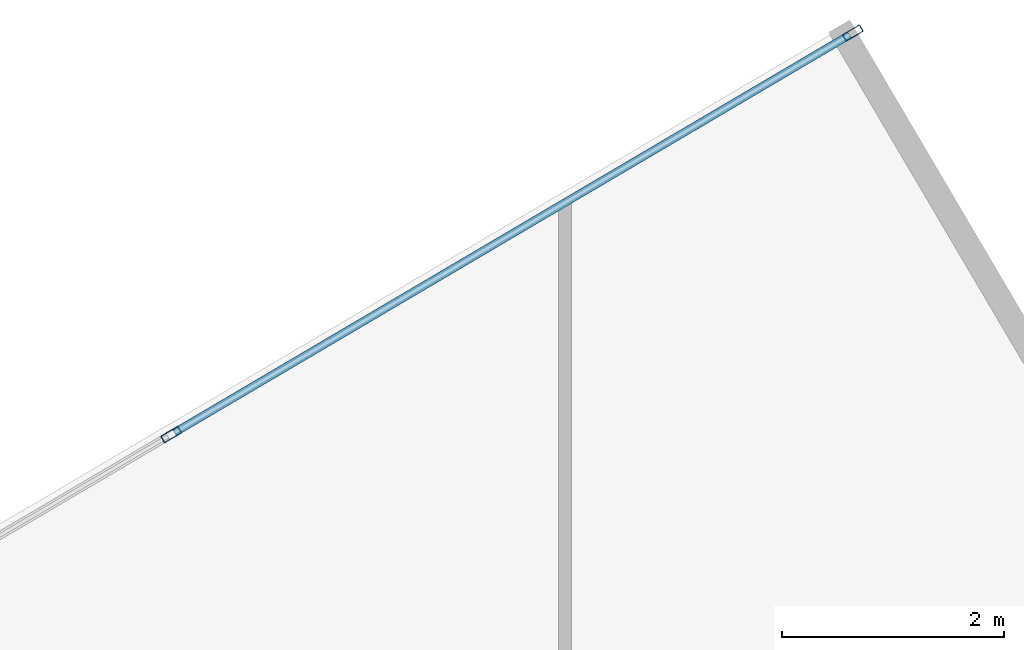
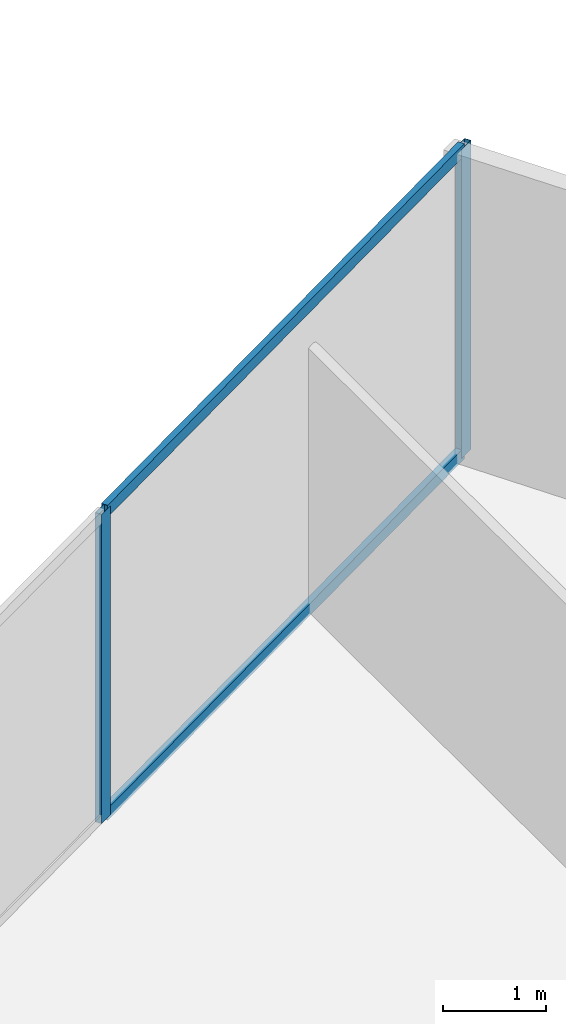
# One storey, part 14 of 20: 4 members, 1 element without a shape of its own.
"""IFC4 building model written with IfcOpenShell, lengths in metres."""

from ifc_helpers import new_model, si_unit, direction, frame, origin, origin_2d, place, context, subcontext, project, spatial, hollow_rectangle, extrude, source, transform, mapped, material, material_profile, profile_set, type_object, type_shapes, element, aggregate, save


model = new_model("IFC4")

# Units and contexts
model_context = context("Model", 3, precision=1e-05, world=origin(), true_north=direction((0.0, 1.0)))
body_context = subcontext(model_context, "Body", "Model", "MODEL_VIEW")
ifc_project = project(units=[si_unit("LENGTHUNIT", "METRE"), si_unit("AREAUNIT", "SQUARE_METRE"), si_unit("VOLUMEUNIT", "CUBIC_METRE"), si_unit("PLANEANGLEUNIT", "RADIAN"), si_unit("MASSUNIT", "GRAM", prefix="KILO")], contexts=[model_context])

# Site, building, storey
site_placement = place(None, origin())
site = spatial("IfcSite", under=ifc_project, at=site_placement, CompositionType="ELEMENT")
building_placement = place(site_placement, origin())
building = spatial("IfcBuilding", under=site, at=building_placement, Name="Krantzveldt Concourse Tower", CompositionType="ELEMENT")
storey_placement = place(building_placement, frame((0.0, 0.0, 295.050048828125)))
storey = spatial("IfcBuildingStorey", under=building, at=storey_placement, Name="L72", CompositionType="ELEMENT", Elevation=295.050048828125)

# Curtain wall, members
ifc_material = material(Name="Anodised aluminium 6063-T6", Category="aluminium")
curtain_wall_type = type_object("IfcCurtainWallType", Name="CW4", PredefinedType="USERDEFINED", material=ifc_material)
curtain_wall_placement = place(storey_placement, origin())
curtain_wall = element("IfcCurtainWall", 1, at=curtain_wall_placement, inside=storey, type_object=curtain_wall_type, Name="CW-L72-F01", ObjectType="UNITISED CURTAIN WALL", PredefinedType="USERDEFINED")
ifc_material_profile_1 = material_profile(ifc_material, hollow_rectangle(XDim=0.070068359375, YDim=0.179931640625, WallThickness=0.0048828125, at=origin_2d()), Name="Anodised aluminium 6063-T6", Category="aluminium")
ifc_profile_set_1 = profile_set([ifc_material_profile_1], Name="Anodised aluminium 6063-T6 - ALU-MULL 180x70x5")
member_type_1 = type_object("IfcMemberType", Name="CW-MUL-180", PredefinedType="MULLION", material=ifc_profile_set_1)
shared_shape_1 = source(origin(), body_context, "Body", "SweptSolid", [
    extrude(hollow_rectangle(XDim=0.070068359375, YDim=0.179931640625, WallThickness=0.0048828125, at=origin_2d()), origin(), (0.0, 0.0, 1.0), 3.669921875),
])
type_shapes(member_type_1, [shared_shape_1])
member_1_placement = place(storey_placement, frame((38.38916015625, 50.75048828125, 0.0), z_axis=(0.0, 0.0, 1.0), x_axis=(0.507538344223, -0.861629171479, 0.0)))
member_1 = element("IfcMember", 2, at=member_1_placement, type_object=member_type_1, Name="CW-Z56 mullion 1", PredefinedType="MULLION", context=body_context, shape_type="MappedRepresentation", body=[
    mapped(shared_shape_1, transform((0.0, 0.0, 0.0), x_axis=(1.0, 0.0, 0.0), y_axis=(0.0, 1.0, 0.0), z_axis=(0.0, 0.0, 1.0), scale=1.0)),
])
member_2_placement = place(storey_placement, frame((32.258544921875, 47.13916015625, 0.0), z_axis=(0.0, 0.0, 1.0), x_axis=(0.507538344223, -0.861629171479, 0.0)))
member_2 = element("IfcMember", 3, at=member_2_placement, type_object=member_type_1, Name="CW-Z56 mullion 2", PredefinedType="MULLION", context=body_context, shape_type="MappedRepresentation", body=[
    mapped(shared_shape_1, transform((0.0, 0.0, 0.0), x_axis=(1.0, 0.0, 0.0), y_axis=(0.0, 1.0, 0.0), z_axis=(0.0, 0.0, 1.0), scale=1.0)),
])
ifc_material_profile_2 = material_profile(ifc_material, hollow_rectangle(XDim=0.070068359375, YDim=0.139892578125, WallThickness=0.0048828125, at=origin_2d()), Name="Anodised aluminium 6063-T6", Category="aluminium")
ifc_profile_set_2 = profile_set([ifc_material_profile_2], Name="Anodised aluminium 6063-T6 - ALU-TRAN 140x70x5")
member_type_2 = type_object("IfcMemberType", Name="CW-TRN-150", PredefinedType="USERDEFINED", material=ifc_profile_set_2)
shared_shape_2 = source(origin(), body_context, "Body", "SweptSolid", [
    extrude(hollow_rectangle(XDim=0.070068359375, YDim=0.139892578125, WallThickness=0.0048828125, at=origin_2d()), origin(), (0.0, 0.0, 1.0), 7.044921875),
])
type_shapes(member_type_2, [shared_shape_2])
member_3_placement = place(storey_placement, frame((38.35888671875, 50.732666015625, 0.034912109375), z_axis=(-0.861620465116, -0.507553124405, 0.0), x_axis=(0.507553124405, -0.861620465116, 0.0)))
member_3 = element("IfcMember", 4, at=member_3_placement, type_object=member_type_2, Name="CW-Z56 transom 1.1", ObjectType="TRANSOM", PredefinedType="USERDEFINED", context=body_context, shape_type="MappedRepresentation", body=[
    mapped(shared_shape_2, transform((0.0, 0.0, 0.0), x_axis=(1.0, 0.0, 0.0), y_axis=(0.0, 1.0, 0.0), z_axis=(0.0, 0.0, 1.0), scale=1.0)),
])
member_4_placement = place(storey_placement, frame((38.35888671875, 50.732666015625, 3.635009765625), z_axis=(-0.861620465116, -0.507553124405, 0.0), x_axis=(0.507553124405, -0.861620465116, 0.0)))
member_4 = element("IfcMember", 5, at=member_4_placement, type_object=member_type_2, Name="CW-Z56 transom 1.2", ObjectType="TRANSOM", PredefinedType="USERDEFINED", context=body_context, shape_type="MappedRepresentation", body=[
    mapped(shared_shape_2, transform((0.0, 0.0, 0.0), x_axis=(1.0, 0.0, 0.0), y_axis=(0.0, 1.0, 0.0), z_axis=(0.0, 0.0, 1.0), scale=1.0)),
])
aggregate(curtain_wall, [member_1, member_2, member_3, member_4])

save(model, "model.ifc")
